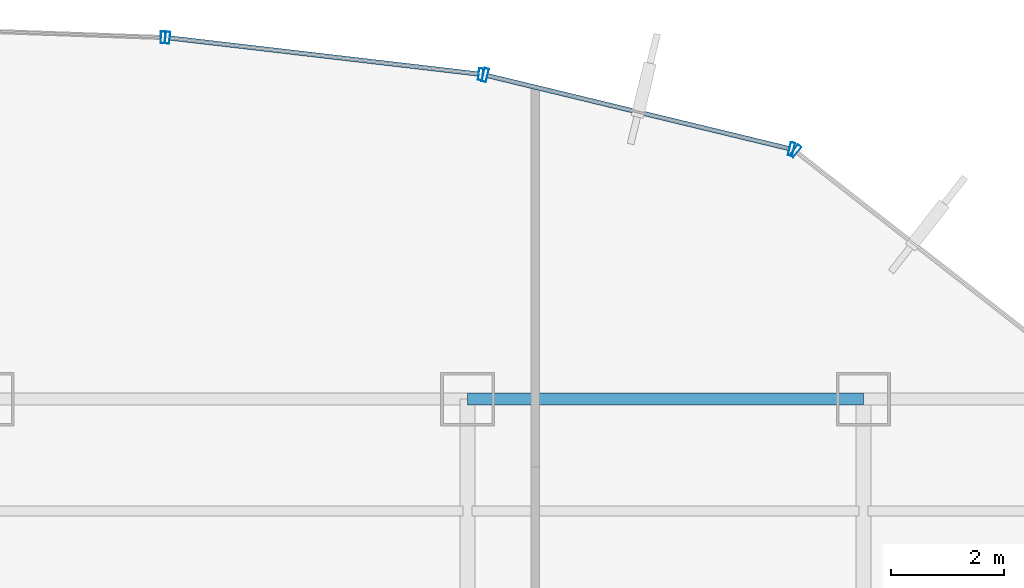
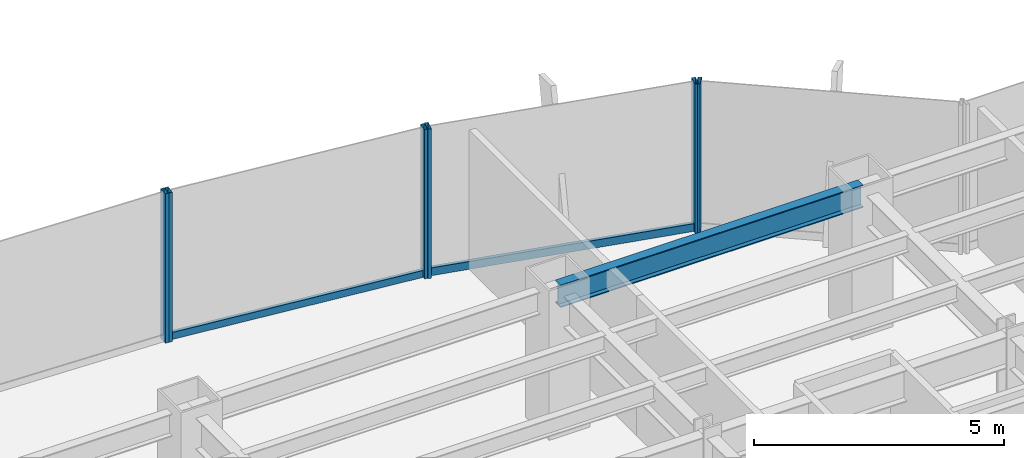
# One storey, part 14 of 22: 8 members, 1 beam, 4 elements without a shape of their own.
"""IFC4 building model written with IfcOpenShell, lengths in metres."""

from ifc_helpers import new_model, si_unit, derived_unit, direction, frame, origin, origin_2d, place, context, subcontext, project, spatial, hollow_rectangle, i_section, extrude, source, transform, mapped, material, material_profile, profile_set, type_object, element, aggregate, save


model = new_model("IFC4")

# Units and contexts
model_context = context("Model", 3, precision=1e-05, world=origin(), true_north=direction((0.0, 1.0)))
body_context = subcontext(model_context, "Body", "Model", "MODEL_VIEW")
ifc_project = project(units=[si_unit("LENGTHUNIT", "METRE"), si_unit("AREAUNIT", "SQUARE_METRE"), si_unit("VOLUMEUNIT", "CUBIC_METRE"), si_unit("PLANEANGLEUNIT", "RADIAN"), si_unit("MASSUNIT", "GRAM", prefix="KILO"), derived_unit("THERMALTRANSMITTANCEUNIT", [(si_unit("POWERUNIT", "WATT"), 1), (si_unit("LENGTHUNIT", "METRE"), -2), (si_unit("THERMODYNAMICTEMPERATUREUNIT", "KELVIN"), -1)])], contexts=[model_context])

# Site, building, storey
site_placement = place(None, origin())
site = spatial("IfcSite", under=ifc_project, at=site_placement, CompositionType="ELEMENT")
building_placement = place(site_placement, origin())
building = spatial("IfcBuilding", under=site, at=building_placement, Name="Skarnbrae Concourse Arena and Tower", CompositionType="ELEMENT")
storey_placement = place(building_placement, frame((0.0, 0.0, 58.050048828125)))
storey = spatial("IfcBuildingStorey", under=building, at=storey_placement, Name="L13", CompositionType="ELEMENT", Elevation=58.050048828125)

# Beam
ifc_material_1 = material(Name="Steel CSA G40.21 350W", Category="steel")
ifc_material_profile_1 = material_profile(ifc_material_1, i_section(OverallWidth=0.214111328125, OverallDepth=0.549072265625, WebThickness=0.0146484375, FlangeThickness=0.023681640625, at=origin_2d()), Name="W530X138")
ifc_profile_set_1 = profile_set([ifc_material_profile_1], Name="Steel CSA G40.21 350W")
beam_type = type_object("IfcBeamType", Name="BM-SPAN-W530X138", PredefinedType="SPANDREL", material=ifc_profile_set_1)
shared_shape_1 = source(origin(), body_context, "Body", "SweptSolid", [
    extrude(i_section(OverallWidth=0.214111328125, OverallDepth=0.549072265625, WebThickness=0.0146484375, FlangeThickness=0.023681640625, at=origin_2d()), origin(), (0.0, 0.0, 1.0), 7.0),
])
beam_placement = place(storey_placement, frame((42.0, 40.39990234375, 3.12548828125), z_axis=(1.0, 0.0, 0.0), x_axis=(0.0, 1.0, 0.0)))
element("IfcBeam", 1, at=beam_placement, inside=storey, type_object=beam_type, Name="L13 Perimeter spandrel Y40.4-6", PredefinedType="SPANDREL", context=body_context, shape_type="MappedRepresentation", body=[
    mapped(shared_shape_1, transform((0.0, 0.0, 0.0))),
])

# Curtain wall, member
ifc_material_2 = material(Name="Bronze anodised aluminium 6063-T6", Category="aluminium")
curtain_wall_type_1 = type_object("IfcCurtainWallType", Name="CW-SYS-02-LOWZONE", PredefinedType="USERDEFINED", material=ifc_material_2)
curtain_wall_1_placement = place(storey_placement, origin())
curtain_wall_1 = element("IfcCurtainWall", 2, at=curtain_wall_1_placement, inside=storey, type_object=curtain_wall_type_1, Name="L13 Unitised curtain wall CW-L13-E08", ObjectType="UNITISED CURTAIN WALL", PredefinedType="USERDEFINED")
ifc_material_profile_2 = material_profile(ifc_material_2, hollow_rectangle(XDim=0.080078125, YDim=0.239990234375, WallThickness=0.0048828125, at=origin_2d()), Name="ALU-MULL-80X240")
ifc_profile_set_2 = profile_set([ifc_material_profile_2], Name="Bronze anodised aluminium 6063-T6")
member_type_1 = type_object("IfcMemberType", Name="CWM-CW-02", PredefinedType="MULLION", material=ifc_profile_set_2)
shared_shape_2 = source(origin(), body_context, "Body", "SweptSolid", [
    extrude(hollow_rectangle(XDim=0.080078125, YDim=0.239990234375, WallThickness=0.0048828125, at=origin_2d()), origin(), (0.0, 0.0, 1.0), 3.64990234375),
])
member_1_placement = place(storey_placement, frame((47.7978515625, 44.787109375, 0.0), z_axis=(0.0, 0.0, 1.0), x_axis=(-0.787651726054, 0.616120733658, 0.0)))
member_1 = element("IfcMember", 3, at=member_1_placement, type_object=member_type_1, Name="CW-L13-E08 Mullion 2", PredefinedType="MULLION", context=body_context, shape_type="MappedRepresentation", body=[
    mapped(shared_shape_2, transform((0.0, 0.0, 0.0))),
])
aggregate(curtain_wall_1, [member_1])

# Curtain wall, members
curtain_wall_2_placement = place(storey_placement, origin())
curtain_wall_2 = element("IfcCurtainWall", 4, at=curtain_wall_2_placement, inside=storey, type_object=curtain_wall_type_1, Name="L13 Unitised curtain wall CW-L13-E09", ObjectType="UNITISED CURTAIN WALL", PredefinedType="USERDEFINED")
member_2_placement = place(storey_placement, frame((47.727294921875, 44.821044921875, 0.0), z_axis=(0.0, 0.0, 1.0), x_axis=(-0.971973721569, 0.235089524607, 0.0)))
member_2 = element("IfcMember", 5, at=member_2_placement, type_object=member_type_1, Name="CW-L13-E09 Mullion 1", PredefinedType="MULLION", context=body_context, shape_type="MappedRepresentation", body=[
    mapped(shared_shape_2, transform((0.0, 0.0, 0.0))),
])
member_3_placement = place(storey_placement, frame((42.311279296875, 46.131103515625, 0.0), z_axis=(0.0, 0.0, 1.0), x_axis=(-0.971973721569, 0.235089524607, 0.0)))
member_3 = element("IfcMember", 6, at=member_3_placement, type_object=member_type_1, Name="CW-L13-E09 Mullion 2", PredefinedType="MULLION", context=body_context, shape_type="MappedRepresentation", body=[
    mapped(shared_shape_2, transform((0.0, 0.0, 0.0))),
])
ifc_material_profile_3 = material_profile(ifc_material_2, hollow_rectangle(XDim=0.080078125, YDim=0.18994140625, WallThickness=0.0048828125, at=origin_2d()), Name="ALU-TRAN-80X190")
ifc_profile_set_3 = profile_set([ifc_material_profile_3], Name="Bronze anodised aluminium 6063-T6")
member_type_2 = type_object("IfcMemberType", Name="CWT-CW-02", PredefinedType="USERDEFINED", material=ifc_profile_set_3)
shared_shape_3 = source(origin(), body_context, "Body", "SweptSolid", [
    extrude(hollow_rectangle(XDim=0.080078125, YDim=0.18994140625, WallThickness=0.0048828125, at=origin_2d()), origin(), (0.0, 0.0, 1.0), 5.4921875),
])
member_4_placement = place(storey_placement, frame((47.6884765625, 44.83056640625, 0.094970703125), z_axis=(-0.971980728004, 0.235060554728, 0.0), x_axis=(-0.235060554728, -0.971980728004, 0.0)))
member_4 = element("IfcMember", 7, at=member_4_placement, type_object=member_type_2, Name="CW-L13-E09 Transom 1", ObjectType="TRANSOM", PredefinedType="USERDEFINED", context=body_context, shape_type="MappedRepresentation", body=[
    mapped(shared_shape_3, transform((0.0, 0.0, 0.0))),
])
aggregate(curtain_wall_2, [member_2, member_3, member_4])

curtain_wall_type_2 = type_object("IfcCurtainWallType", Name="CW-SYS-03-PORTAL", PredefinedType="USERDEFINED", material=ifc_material_2)
curtain_wall_3_placement = place(storey_placement, origin())
curtain_wall_3 = element("IfcCurtainWall", 8, at=curtain_wall_3_placement, inside=storey, type_object=curtain_wall_type_2, Name="L13 Unitised curtain wall CW-L13-E10", ObjectType="UNITISED CURTAIN WALL", PredefinedType="USERDEFINED")
ifc_material_profile_4 = material_profile(ifc_material_2, hollow_rectangle(XDim=0.080078125, YDim=0.169921875, WallThickness=0.00439453125, at=origin_2d()), Name="ALU-TRAN-80X170")
ifc_profile_set_4 = profile_set([ifc_material_profile_4], Name="Bronze anodised aluminium 6063-T6")
member_type_3 = type_object("IfcMemberType", Name="CWT-CW-03", PredefinedType="USERDEFINED", material=ifc_profile_set_4)
shared_shape_4 = source(origin(), body_context, "Body", "SweptSolid", [
    extrude(hollow_rectangle(XDim=0.080078125, YDim=0.169921875, WallThickness=0.00439453125, at=origin_2d()), origin(), (0.0, 0.0, 1.0), 5.49658203125),
])
member_5_placement = place(storey_placement, frame((42.19287109375, 46.14990234375, 0.0849609375), z_axis=(-0.993247281455, 0.116016541417, 0.0), x_axis=(-0.116016541417, -0.993247281455, 0.0)))
member_5 = element("IfcMember", 9, at=member_5_placement, type_object=member_type_3, Name="CW-L13-E10 Transom 1", ObjectType="TRANSOM", PredefinedType="USERDEFINED", context=body_context, shape_type="MappedRepresentation", body=[
    mapped(shared_shape_4, transform((0.0, 0.0, 0.0))),
])
ifc_material_profile_5 = material_profile(ifc_material_2, hollow_rectangle(XDim=0.080078125, YDim=0.2099609375, WallThickness=0.00439453125, at=origin_2d()), Name="ALU-MULL-80X210")
ifc_profile_set_5 = profile_set([ifc_material_profile_5], Name="Bronze anodised aluminium 6063-T6")
member_type_4 = type_object("IfcMemberType", Name="CWM-CW-03", PredefinedType="MULLION", material=ifc_profile_set_5)
shared_shape_5 = source(origin(), body_context, "Body", "SweptSolid", [
    extrude(hollow_rectangle(XDim=0.080078125, YDim=0.2099609375, WallThickness=0.00439453125, at=origin_2d()), origin(), (0.0, 0.0, 1.0), 3.64990234375),
])
member_6_placement = place(storey_placement, frame((42.232666015625, 46.14501953125, 0.0), z_axis=(0.0, 0.0, 1.0), x_axis=(-0.99324457001, 0.116039752435, 0.0)))
member_6 = element("IfcMember", 10, at=member_6_placement, type_object=member_type_4, Name="CW-L13-E10 Mullion 1", PredefinedType="MULLION", context=body_context, shape_type="MappedRepresentation", body=[
    mapped(shared_shape_5, transform((0.0, 0.0, 0.0))),
])
member_7_placement = place(storey_placement, frame((36.693603515625, 46.792236328125, 0.0), z_axis=(0.0, 0.0, 1.0), x_axis=(-0.99324457001, 0.116039752435, 0.0)))
member_7 = element("IfcMember", 11, at=member_7_placement, type_object=member_type_4, Name="CW-L13-E10 Mullion 2", PredefinedType="MULLION", context=body_context, shape_type="MappedRepresentation", body=[
    mapped(shared_shape_5, transform((0.0, 0.0, 0.0))),
])
aggregate(curtain_wall_3, [member_6, member_7, member_5])

# Curtain wall, member
curtain_wall_4_placement = place(storey_placement, origin())
curtain_wall_4 = element("IfcCurtainWall", 12, at=curtain_wall_4_placement, inside=storey, type_object=curtain_wall_type_2, Name="L13 Unitised curtain wall CW-L13-E11", ObjectType="UNITISED CURTAIN WALL", PredefinedType="USERDEFINED")
member_8_placement = place(storey_placement, frame((36.614013671875, 46.79833984375, 0.0), z_axis=(0.0, 0.0, 1.0), x_axis=(-0.999355425188, 0.035898943527, 0.0)))
member_8 = element("IfcMember", 13, at=member_8_placement, type_object=member_type_4, Name="CW-L13-E11 Mullion 1", PredefinedType="MULLION", context=body_context, shape_type="MappedRepresentation", body=[
    mapped(shared_shape_5, transform((0.0, 0.0, 0.0))),
])
aggregate(curtain_wall_4, [member_8])

save(model, "model.ifc")
